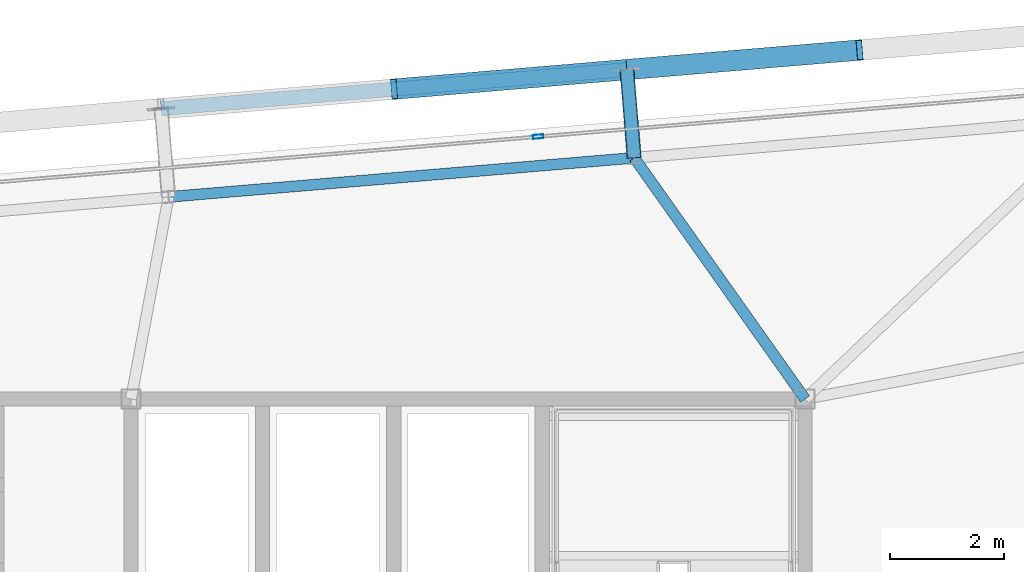
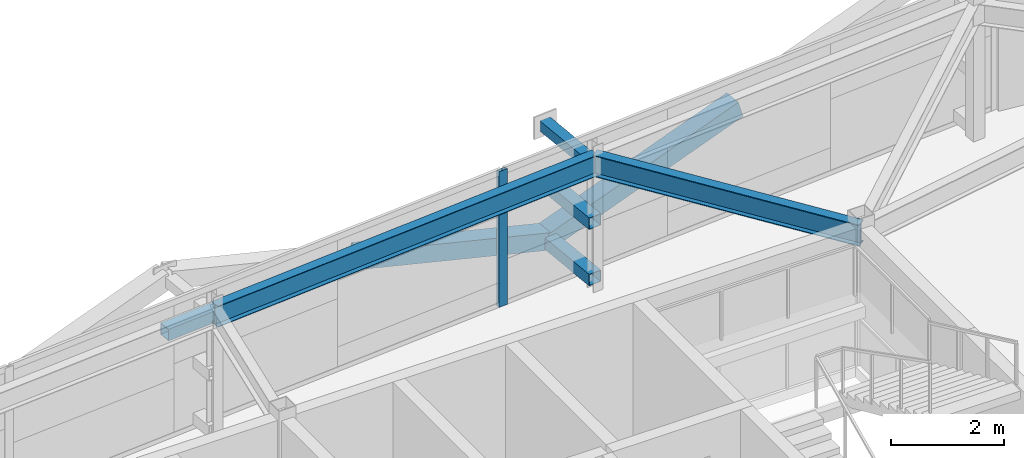
# One storey, part 24 of 37: 7 members, 2 beams, 1 element without a shape of its own.
"""IFC4 building model written with IfcOpenShell, lengths in metres."""

from ifc_helpers import new_model, si_unit, direction, frame, origin, origin_2d, place, context, subcontext, project, spatial, hollow_rectangle, i_section, extrude, source, transform, mapped, material, layer, layer_set, material_profile, profile_set, type_object, element, aggregate, save


model = new_model("IFC4")

# Units and contexts
model_context = context("Model", 3, precision=1e-05, world=origin(), true_north=direction((0.0, 1.0)))
body_context = subcontext(model_context, "Body", "Model", "MODEL_VIEW")
ifc_project = project(units=[si_unit("LENGTHUNIT", "METRE"), si_unit("AREAUNIT", "SQUARE_METRE"), si_unit("VOLUMEUNIT", "CUBIC_METRE"), si_unit("PLANEANGLEUNIT", "RADIAN"), si_unit("MASSUNIT", "GRAM", prefix="KILO")], contexts=[model_context])

# Site, building, storey
site_placement = place(None, origin())
site = spatial("IfcSite", under=ifc_project, at=site_placement, CompositionType="ELEMENT")
building_placement = place(site_placement, origin())
building = spatial("IfcBuilding", under=site, at=building_placement, Name="Taldren Reach Tower", CompositionType="ELEMENT")
storey_placement = place(building_placement, frame((0.0, 0.0, 172.550048828125)))
storey = spatial("IfcBuildingStorey", under=building, at=storey_placement, Name="L52", CompositionType="ELEMENT", Elevation=172.550048828125)

# Members
ifc_material_1 = material(Name="Steel Gr 350 (C350L0)", Category="steel")
ifc_material_profile_1 = material_profile(ifc_material_1, hollow_rectangle(XDim=0.25, YDim=0.25, WallThickness=0.010009765625, at=origin_2d()), Name="250x250x10.0SHS")
ifc_profile_set_1 = profile_set([ifc_material_profile_1], Name="Steel Gr 350 (C350L0)")
member_type_1 = type_object("IfcMemberType", Name="MB-POST250", PredefinedType="POST", material=ifc_profile_set_1)
shared_shape_1 = source(origin(), body_context, "Body", "SweptSolid", [
    extrude(hollow_rectangle(XDim=0.25, YDim=0.25, WallThickness=0.010009765625, at=origin_2d()), origin(), (0.0, 0.0, 1.0), 1.550048828125),
])
for number, where, z_axis, x_axis, name in (
    (1, (48.009033203125, 36.221435546875, 0.219970703125), (-0.083632013783, 0.996496706603, 0.0), (-0.996496706603, -0.083632013783, 0.0), "Exoskeleton base diaphragm tie strut B4-N5 L52"),
    (2, (48.009033203125, 36.221435546875, 1.43505859375), (-0.083632013783, 0.996496706603, 0.0), (-0.996496706603, -0.083632013783, 0.0), "Exoskeleton mid-tier diaphragm tie B4-N5 L52"),
):
    element("IfcMember", number, at=place(storey_placement, frame(where, z_axis=z_axis, x_axis=x_axis)), inside=storey, type_object=member_type_1, Name=name, PredefinedType="POST", context=body_context, shape_type="MappedRepresentation", body=[
        mapped(shared_shape_1, transform((0.0, 0.0, 0.0), scale=1.0)),
    ])

# Beams
ifc_material_2 = material(Name="Steel Gr 350 (350PLUS)", Category="steel")
ifc_material_profile_2 = material_profile(ifc_material_2, i_section(OverallWidth=0.18994140625, OverallDepth=0.4541015625, WebThickness=0.008544921875, FlangeThickness=0.0126953125, at=origin_2d()), Name="460UB67.1")
ifc_profile_set_2 = profile_set([ifc_material_profile_2], Name="Steel Gr 350 (350PLUS)")
beam_type_1 = type_object("IfcBeamType", Name="SP-UB460B", PredefinedType="SPANDREL", material=ifc_profile_set_2)
shared_shape_2 = source(origin(), body_context, "Body", "SweptSolid", [
    extrude(i_section(OverallWidth=0.18994140625, OverallDepth=0.4541015625, WebThickness=0.008544921875, FlangeThickness=0.0126953125, at=origin_2d()), origin(), (0.0, 0.0, 1.0), 8.179931640625),
])
beam_1_placement = place(storey_placement, frame((48.009033203125, 36.221435546875, 2.702880859375), z_axis=(-0.996494523218, -0.083658025296, 0.0), x_axis=(0.083658025296, -0.996494523218, 0.0)))
element("IfcBeam", 3, at=beam_1_placement, inside=storey, type_object=beam_type_1, Name="Perimeter spandrel B4 N5-N4 L52", PredefinedType="SPANDREL", context=body_context, shape_type="MappedRepresentation", body=[
    mapped(shared_shape_2, transform((0.0, 0.0, 0.0), scale=1.0)),
])
ifc_material_profile_3 = material_profile(ifc_material_2, i_section(OverallWidth=0.19091796875, OverallDepth=0.4599609375, WebThickness=0.010009765625, FlangeThickness=0.01611328125, at=origin_2d()), Name="460UB82.1")
ifc_profile_set_3 = profile_set([ifc_material_profile_3], Name="Steel Gr 350 (350PLUS)")
beam_type_2 = type_object("IfcBeamType", Name="BM-UB460A", PredefinedType="BEAM", material=ifc_profile_set_3)
shared_shape_3 = source(origin(), body_context, "Body", "SweptSolid", [
    extrude(i_section(OverallWidth=0.19091796875, OverallDepth=0.4599609375, WebThickness=0.010009765625, FlangeThickness=0.01611328125, at=origin_2d()), origin(), (0.0, 0.0, 1.0), 5.173583984375),
])
beam_2_placement = place(storey_placement, frame((51.0, 32.0, 2.699951171875), z_axis=(-0.578118152709, 0.8159530633, 0.0), x_axis=(-0.8159530633, -0.578118152709, 0.0)))
element("IfcBeam", 4, at=beam_2_placement, inside=storey, type_object=beam_type_2, Name="Primary floor girder B4-N5 L52", PredefinedType="BEAM", context=body_context, shape_type="MappedRepresentation", body=[
    mapped(shared_shape_3, transform((0.0, 0.0, 0.0), scale=1.0)),
])

# Members
ifc_material_3 = material(Name="Steel Gr 450 (C450L0)", Category="steel")
ifc_material_profile_4 = material_profile(ifc_material_3, hollow_rectangle(XDim=0.219970703125, YDim=0.219970703125, WallThickness=0.00830078125, at=origin_2d()), Name="220x220x8.2SHS")
ifc_profile_set_4 = profile_set([ifc_material_profile_4], Name="Steel Gr 450 (C450L0)")
member_type_2 = type_object("IfcMemberType", Name="MB-TIE219", PredefinedType="STRUT", material=ifc_profile_set_4)
shared_shape_4 = source(origin(), body_context, "Body", "SweptSolid", [
    extrude(hollow_rectangle(XDim=0.219970703125, YDim=0.219970703125, WallThickness=0.00830078125, at=origin_2d()), origin(), (0.0, 0.0, 1.0), 1.550048828125),
])
member_1_placement = place(storey_placement, frame((48.009033203125, 36.221435546875, 2.64990234375), z_axis=(-0.083632013783, 0.996496706603, 0.0), x_axis=(-0.996496706603, -0.083632013783, 0.0)))
element("IfcMember", 5, at=member_1_placement, inside=storey, type_object=member_type_2, Name="Exoskeleton diaphragm tie strut B4-N5 L52", PredefinedType="STRUT", context=body_context, shape_type="MappedRepresentation", body=[
    mapped(shared_shape_4, transform((0.0, 0.0, 0.0), scale=1.0)),
])
shared_shape_5 = source(origin(), body_context, "Body", "SweptSolid", [
    extrude(hollow_rectangle(XDim=0.25, YDim=0.25, WallThickness=0.010009765625, at=origin_2d()), origin(), (0.0, 0.0, 1.0), 8.18017578125),
])
member_2_placement = place(storey_placement, frame((39.72802734375, 37.08154296875, 1.43505859375), z_axis=(0.996492034688, 0.083687662192, 0.0), x_axis=(-0.083687662192, 0.996492034688, 0.0)))
element("IfcMember", 6, at=member_2_placement, inside=storey, type_object=member_type_1, Name="Exoskeleton mid-height ring chord B4-N4 L52", PredefinedType="POST", context=body_context, shape_type="MappedRepresentation", body=[
    mapped(shared_shape_5, transform((0.0, 0.0, 0.0), scale=1.0)),
])
ifc_material_profile_5 = material_profile(ifc_material_3, hollow_rectangle(XDim=0.360107421875, YDim=0.360107421875, WallThickness=0.0126953125, at=origin_2d()), Name="360x360x12.7SHS")
ifc_profile_set_5 = profile_set([ifc_material_profile_5], Name="Steel Gr 450 (C450L0)")
member_type_3 = type_object("IfcMemberType", Name="MB-EXO356", PredefinedType="BRACE", material=ifc_profile_set_5)
shared_shape_6 = source(origin(), body_context, "Body", "SweptSolid", [
    extrude(hollow_rectangle(XDim=0.360107421875, YDim=0.360107421875, WallThickness=0.0126953125, at=origin_2d()), origin(), (0.0, 0.0, 1.0), 4.2666015625),
])
for number, where, z_axis, x_axis, name in (
    (7, (47.87939453125, 37.76611328125, 0.219970703125), (-0.955229159097, -0.080222312271, 0.284783486572), (0.083687662192, -0.996492034688, 0.0), "Exoskeleton Diagrid Brace B4-N4 L52"),
    (8, (47.87939453125, 37.76611328125, 0.219970703125), (0.955229159097, 0.080222312271, 0.284783486572), (-0.083687662192, 0.996492034688, 0.0), "Exoskeleton Diagrid Brace B4-N5 L52"),
):
    element("IfcMember", number, at=place(storey_placement, frame(where, z_axis=z_axis, x_axis=x_axis)), inside=storey, type_object=member_type_3, Name=name, PredefinedType="BRACE", context=body_context, shape_type="MappedRepresentation", body=[
        mapped(shared_shape_6, transform((0.0, 0.0, 0.0), scale=1.0)),
    ])

# Curtain wall, member
ifc_material_4 = material(Name="Aluminium and Low-E Glass Unitised System", Category="aluminium")
ifc_layer = layer(ifc_material_4, 0.159912109375)
ifc_layer_set = layer_set([ifc_layer], Name="Aluminium and Low-E Glass Unitised System")
curtain_wall_type = type_object("IfcCurtainWallType", Name="CW-SYS-5", PredefinedType="NOTDEFINED", material=ifc_layer_set)
curtain_wall_placement = place(storey_placement, origin())
curtain_wall = element("IfcCurtainWall", 9, at=curtain_wall_placement, inside=storey, type_object=curtain_wall_type, Name="Unitised curtain wall CW-L52-N", PredefinedType="NOTDEFINED")
ifc_material_5 = material(Name="Anodised Aluminium 6063-T6", Category="aluminium")
ifc_material_profile_6 = material_profile(ifc_material_5, hollow_rectangle(XDim=0.070068359375, YDim=0.179931640625, WallThickness=0.00390625, at=origin_2d()), Name="ALU-180x70x4RHS")
ifc_profile_set_6 = profile_set([ifc_material_profile_6], Name="Anodised Aluminium 6063-T6")
member_type_4 = type_object("IfcMemberType", Name="CW-MUL-180", PredefinedType="MULLION", material=ifc_profile_set_6)
shared_shape_7 = source(origin(), body_context, "Body", "SweptSolid", [
    extrude(hollow_rectangle(XDim=0.070068359375, YDim=0.179931640625, WallThickness=0.00390625, at=origin_2d()), origin(), (0.0, 0.0, 1.0), 2.929931640625),
])
member_3_placement = place(storey_placement, frame((46.3271484375, 36.592041015625, 0.0), z_axis=(0.0, 0.0, 1.0), x_axis=(0.083677875247, -0.99649285657, 0.0)))
member_3 = element("IfcMember", 10, at=member_3_placement, type_object=member_type_4, Name="CW-5 mullion 2", PredefinedType="MULLION", context=body_context, shape_type="MappedRepresentation", body=[
    mapped(shared_shape_7, transform((0.0, 0.0, 0.0), scale=1.0)),
])
aggregate(curtain_wall, [member_3])

save(model, "model.ifc")
